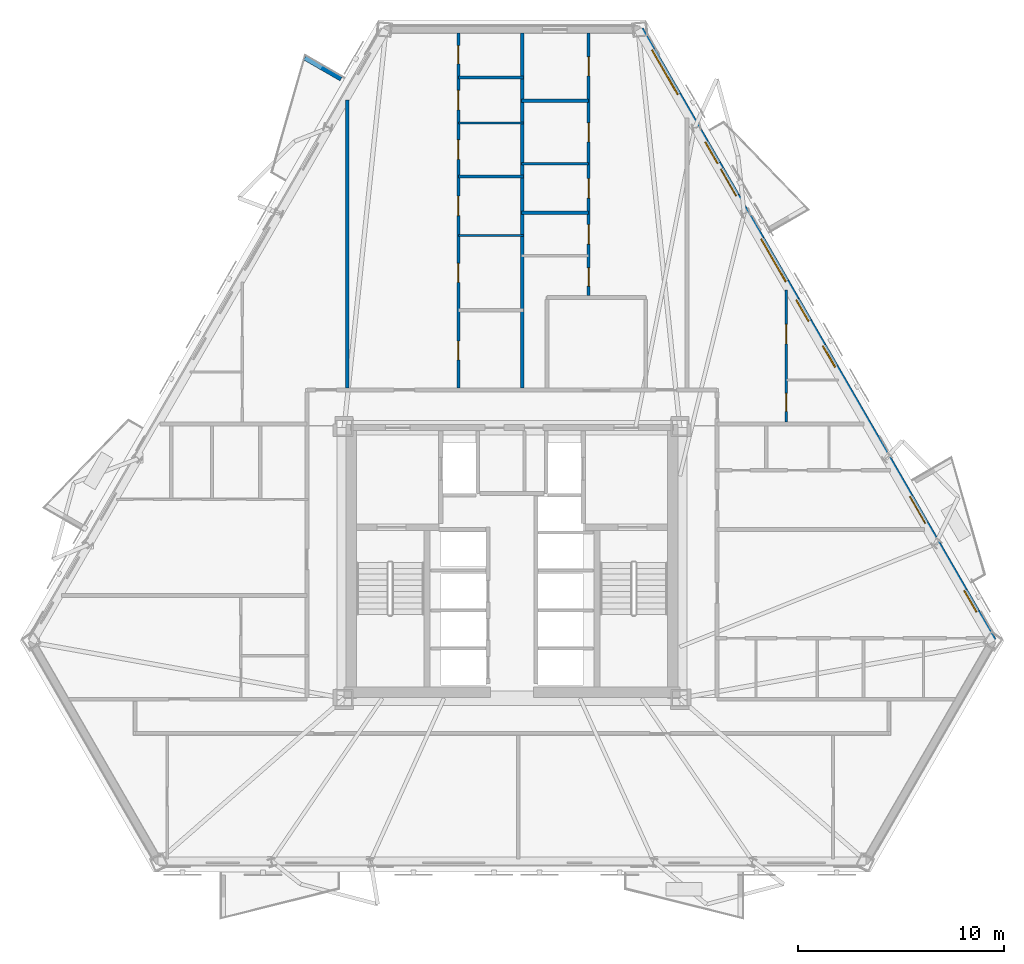
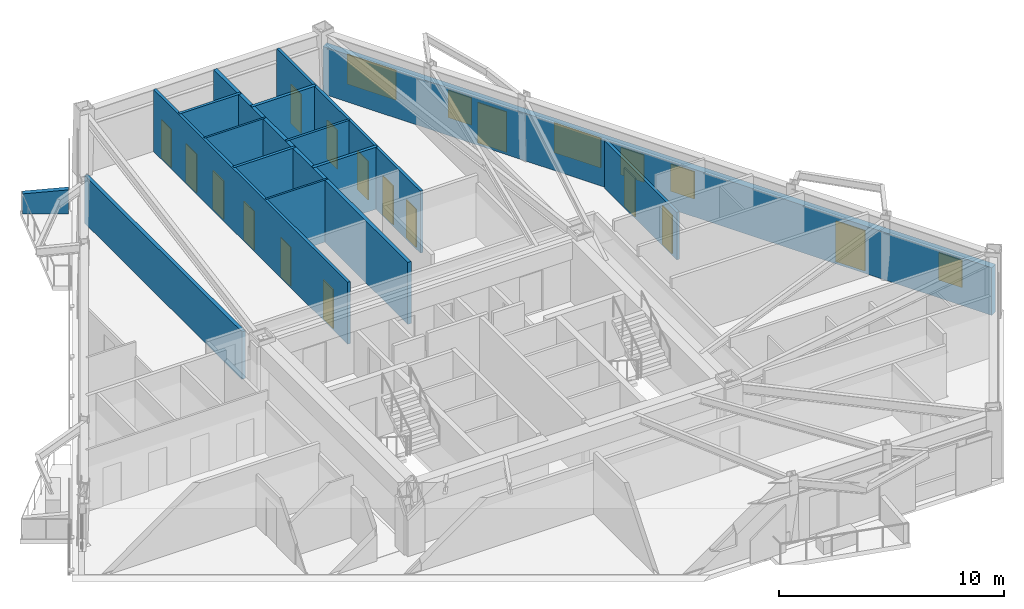
# One storey, part 6 of 11: 15 doors, 14 walls, 6 windows, 21 openings.
"""IFC4 building model written with IfcOpenShell, lengths in metres."""

from ifc_helpers import new_model, si_unit, direction, frame, frame_2d, origin, place, context, subcontext, project, spatial, polyline, rectangle, outline, extrude, material, layer, layer_set, type_object, element, fill, save


model = new_model("IFC4")

# Units and contexts
model_context = context("Model", 3, precision=1e-05, world=origin(), true_north=direction((0.0, 1.0)))
body_context = subcontext(model_context, "Body", "Model", "MODEL_VIEW")
ifc_project = project(units=[si_unit("LENGTHUNIT", "METRE"), si_unit("AREAUNIT", "SQUARE_METRE"), si_unit("VOLUMEUNIT", "CUBIC_METRE"), si_unit("PLANEANGLEUNIT", "RADIAN"), si_unit("MASSUNIT", "GRAM", prefix="KILO")], contexts=[model_context])

# Site, building, storey
site_placement = place(None, origin())
site = spatial("IfcSite", under=ifc_project, at=site_placement, CompositionType="ELEMENT")
building_placement = place(site_placement, origin())
building = spatial("IfcBuilding", under=site, at=building_placement, Name="Oramaril Tower", CompositionType="ELEMENT")
storey_placement = place(building_placement, frame((0.0, 0.0, 89.699951171875)))
storey = spatial("IfcBuildingStorey", under=building, at=storey_placement, Name="L23", CompositionType="ELEMENT", Elevation=89.699951171875)

# Wall, openings, doors, windows
ifc_material_1 = material(Name="Warm Cream Limestone", Category="masonry")
ifc_layer_1 = layer(ifc_material_1, 0.340087890625)
ifc_layer_set_1 = layer_set([ifc_layer_1], Name="WT-EXT34")
wall_type_1 = type_object("IfcWallType", Name="WT-EXT34", PredefinedType="SOLIDWALL", material=ifc_layer_set_1)
wall_1_placement = place(storey_placement, frame((60.85986328125, 13.79833984375, 0.0), z_axis=(0.0, 0.0, 1.0), x_axis=(-0.500004029544, 0.866023077313, 0.0)))
wall_1 = element("IfcWall", 1, at=wall_1_placement, inside=storey, type_object=wall_type_1, Name="L23 Tower Limestone Facade Wall 4M", PredefinedType="SOLIDWALL", context=body_context, shape_type="SweptSolid", body=[
    extrude(rectangle(XDim=34.274658203125, YDim=0.340087890625, at=frame_2d((17.13720703125, 0.0))), origin(), (0.0, 0.0, 1.0), 2.578125),
])
opening_1_placement = place(wall_1_placement, frame((6.579345703125, 0.0, 0.0)))
opening_1 = element("IfcOpeningElement", 2, at=opening_1_placement, cuts=wall_1, Name="Opening D-L23-BAL-NE1", PredefinedType="OPENING", context=body_context, shape_type="SweptSolid", body=[
    extrude(rectangle(XDim=1.5, YDim=2.199951171875, at=frame_2d((0.75, 1.10009765625))), frame((0.0, 0.169921875, 0.0), z_axis=(0.0, -1.0, 0.0), x_axis=(1.0, 0.0, 0.0)), (0.0, 0.0, 1.0), 0.340087890625),
])
opening_2_placement = place(wall_1_placement, frame((24.9501953125, 0.0, 0.0)))
opening_2 = element("IfcOpeningElement", 3, at=opening_2_placement, cuts=wall_1, Name="Opening D-L23-BAL-NE2", PredefinedType="OPENING", context=body_context, shape_type="SweptSolid", body=[
    extrude(rectangle(XDim=1.5, YDim=2.199951171875, at=frame_2d((0.75, 1.10009765625))), frame((0.0, 0.169921875, 0.0), z_axis=(0.0, -1.0, 0.0), x_axis=(1.0, 0.0, 0.0)), (0.0, 0.0, 1.0), 0.340087890625),
])
opening_3_placement = place(wall_1_placement, frame((1.607421875, 0.0, 0.85009765625)))
opening_3 = element("IfcOpeningElement", 4, at=opening_3_placement, cuts=wall_1, Name="Opening WN-09", PredefinedType="OPENING", context=body_context, shape_type="SweptSolid", body=[
    extrude(rectangle(XDim=1.199951171875, YDim=1.47998046875, at=frame_2d((0.60009765625, 0.739990234375))), frame((0.0, 0.169921875, 0.0), z_axis=(0.0, -1.0, 0.0), x_axis=(1.0, 0.0, 0.0)), (0.0, 0.0, 1.0), 0.340087890625),
])
opening_4_placement = place(wall_1_placement, frame((30.6201171875, 0.0, 0.85009765625)))
opening_4 = element("IfcOpeningElement", 5, at=opening_4_placement, cuts=wall_1, Name="Opening WN-11", PredefinedType="OPENING", context=body_context, shape_type="SweptSolid", body=[
    extrude(rectangle(XDim=2.5, YDim=1.617919921875, at=frame_2d((1.25, 0.80908203125))), frame((0.0, 0.169921875, 0.0), z_axis=(0.0, -1.0, 0.0), x_axis=(1.0, 0.0, 0.0)), (0.0, 0.0, 1.0), 0.340087890625),
])
opening_5_placement = place(wall_1_placement, frame((20.1279296875, 0.0, 0.85009765625)))
opening_5 = element("IfcOpeningElement", 6, at=opening_5_placement, cuts=wall_1, Name="Opening WN-03", PredefinedType="OPENING", context=body_context, shape_type="SweptSolid", body=[
    extrude(rectangle(XDim=2.39990234375, YDim=1.617919921875, at=frame_2d((1.199951171875, 0.80908203125))), frame((0.0, 0.169921875, 0.0), z_axis=(0.0, -1.0, 0.0), x_axis=(1.0, 0.0, 0.0)), (0.0, 0.0, 1.0), 0.340087890625),
])
opening_6_placement = place(wall_1_placement, frame((26.755615234375, 0.0, 0.85009765625)))
opening_6 = element("IfcOpeningElement", 7, at=opening_6_placement, cuts=wall_1, Name="Opening WN-09", PredefinedType="OPENING", context=body_context, shape_type="SweptSolid", body=[
    extrude(rectangle(XDim=1.199951171875, YDim=1.47998046875, at=frame_2d((0.60009765625, 0.739990234375))), frame((0.0, 0.169921875, 0.0), z_axis=(0.0, -1.0, 0.0), x_axis=(1.0, 0.0, 0.0)), (0.0, 0.0, 1.0), 0.340087890625),
])
opening_7_placement = place(wall_1_placement, frame((15.33544921875, 0.0, 0.85009765625)))
opening_7 = element("IfcOpeningElement", 8, at=opening_7_placement, cuts=wall_1, Name="Opening WN-09", PredefinedType="OPENING", context=body_context, shape_type="SweptSolid", body=[
    extrude(rectangle(XDim=1.199951171875, YDim=1.47998046875, at=frame_2d((0.60009765625, 0.739990234375))), frame((0.0, 0.169921875, 0.0), z_axis=(0.0, -1.0, 0.0), x_axis=(1.0, 0.0, 0.0)), (0.0, 0.0, 1.0), 0.340087890625),
])
opening_8_placement = place(wall_1_placement, frame((17.910888671875, 0.0, 0.85009765625)))
opening_8 = element("IfcOpeningElement", 9, at=opening_8_placement, cuts=wall_1, Name="Opening WN-09", PredefinedType="OPENING", context=body_context, shape_type="SweptSolid", body=[
    extrude(rectangle(XDim=1.199951171875, YDim=1.47998046875, at=frame_2d((0.60009765625, 0.739990234375))), frame((0.0, 0.169921875, 0.0), z_axis=(0.0, -1.0, 0.0), x_axis=(1.0, 0.0, 0.0)), (0.0, 0.0, 1.0), 0.340087890625),
])
ifc_material_2 = material(Name="Anodised Aluminium 6063-T6", Category="aluminium")
door_type_1 = type_object("IfcDoorType", Name="DT-BAL", OperationType="NOTDEFINED", PredefinedType="DOOR", material=ifc_material_2)
door_1_placement = place(opening_1_placement, origin())
door_1 = element("IfcDoor", 10, at=door_1_placement, inside=storey, type_object=door_type_1, Name="L23 Balcony Glazed Door L23-BAL-NE1", OperationType="SINGLE_SWING_RIGHT", OverallHeight=2.199951171875, OverallWidth=1.5, PredefinedType="DOOR", context=body_context, shape_type="SweptSolid", body=[
    extrude(rectangle(XDim=1.5, YDim=2.199951171875, at=frame_2d((0.75, 1.10009765625))), frame((0.0, 0.02490234375, 0.0), z_axis=(0.0, -1.0, 0.0), x_axis=(1.0, 0.0, 0.0)), (0.0, 0.0, 1.0), 0.050048828125),
])
fill(opening_1, door_1)
door_2_placement = place(opening_2_placement, origin())
door_2 = element("IfcDoor", 11, at=door_2_placement, inside=storey, type_object=door_type_1, Name="L23 Balcony Glazed Door L23-BAL-NE2", OperationType="SINGLE_SWING_LEFT", OverallHeight=2.199951171875, OverallWidth=1.5, PredefinedType="DOOR", context=body_context, shape_type="SweptSolid", body=[
    extrude(rectangle(XDim=1.5, YDim=2.199951171875, at=frame_2d((0.75, 1.10009765625))), frame((0.0, 0.02490234375, 0.0), z_axis=(0.0, -1.0, 0.0), x_axis=(1.0, 0.0, 0.0)), (0.0, 0.0, 1.0), 0.050048828125),
])
fill(opening_2, door_2)
ifc_material_3 = material(Name="Coastal Low-E Insulated Glass", Category="glass")
window_type_1 = type_object("IfcWindowType", Name="WNT-03", PartitioningType="SINGLE_PANEL", PredefinedType="WINDOW", material=ifc_material_3)
window_1_placement = place(opening_5_placement, origin())
window_1 = element("IfcWindow", 12, at=window_1_placement, inside=storey, type_object=window_type_1, Name="L23 Chicago Bay Window WN-03", OverallHeight=1.617919921875, OverallWidth=2.39990234375, PartitioningType="SINGLE_PANEL", PredefinedType="WINDOW", context=body_context, shape_type="SweptSolid", body=[
    extrude(rectangle(XDim=2.39990234375, YDim=1.617919921875, at=frame_2d((1.199951171875, 0.80908203125))), frame((0.0, 0.030029296875, 0.0), z_axis=(0.0, -1.0, 0.0), x_axis=(1.0, 0.0, 0.0)), (0.0, 0.0, 1.0), 0.06005859375),
])
fill(opening_5, window_1)
ifc_material_4 = material(Name="Coastal Low-E Insulated Glass", Category="glass")
window_type_2 = type_object("IfcWindowType", Name="WNT-09", PartitioningType="SINGLE_PANEL", PredefinedType="WINDOW", material=ifc_material_4)
window_2_placement = place(opening_3_placement, origin())
window_2 = element("IfcWindow", 13, at=window_2_placement, inside=storey, type_object=window_type_2, Name="L23 Chicago Bay Window WN-09", OverallHeight=1.47998046875, OverallWidth=1.199951171875, PartitioningType="SINGLE_PANEL", PredefinedType="WINDOW", context=body_context, shape_type="SweptSolid", body=[
    extrude(rectangle(XDim=1.199951171875, YDim=1.47998046875, at=frame_2d((0.60009765625, 0.739990234375))), frame((0.0, 0.030029296875, 0.0), z_axis=(0.0, -1.0, 0.0), x_axis=(1.0, 0.0, 0.0)), (0.0, 0.0, 1.0), 0.06005859375),
])
fill(opening_3, window_2)
window_3_placement = place(opening_6_placement, origin())
window_3 = element("IfcWindow", 14, at=window_3_placement, inside=storey, type_object=window_type_2, Name="L23 Chicago Bay Window WN-09", OverallHeight=1.47998046875, OverallWidth=1.199951171875, PartitioningType="SINGLE_PANEL", PredefinedType="WINDOW", context=body_context, shape_type="SweptSolid", body=[
    extrude(rectangle(XDim=1.199951171875, YDim=1.47998046875, at=frame_2d((0.60009765625, 0.739990234375))), frame((0.0, 0.030029296875, 0.0), z_axis=(0.0, -1.0, 0.0), x_axis=(1.0, 0.0, 0.0)), (0.0, 0.0, 1.0), 0.06005859375),
])
fill(opening_6, window_3)
window_4_placement = place(opening_7_placement, origin())
window_4 = element("IfcWindow", 15, at=window_4_placement, inside=storey, type_object=window_type_2, Name="L23 Chicago Bay Window WN-09", OverallHeight=1.47998046875, OverallWidth=1.199951171875, PartitioningType="SINGLE_PANEL", PredefinedType="WINDOW", context=body_context, shape_type="SweptSolid", body=[
    extrude(rectangle(XDim=1.199951171875, YDim=1.47998046875, at=frame_2d((0.60009765625, 0.739990234375))), frame((0.0, 0.030029296875, 0.0), z_axis=(0.0, -1.0, 0.0), x_axis=(1.0, 0.0, 0.0)), (0.0, 0.0, 1.0), 0.06005859375),
])
fill(opening_7, window_4)
window_5_placement = place(opening_8_placement, origin())
window_5 = element("IfcWindow", 16, at=window_5_placement, inside=storey, type_object=window_type_2, Name="L23 Chicago Bay Window WN-09", OverallHeight=1.47998046875, OverallWidth=1.199951171875, PartitioningType="SINGLE_PANEL", PredefinedType="WINDOW", context=body_context, shape_type="SweptSolid", body=[
    extrude(rectangle(XDim=1.199951171875, YDim=1.47998046875, at=frame_2d((0.60009765625, 0.739990234375))), frame((0.0, 0.030029296875, 0.0), z_axis=(0.0, -1.0, 0.0), x_axis=(1.0, 0.0, 0.0)), (0.0, 0.0, 1.0), 0.06005859375),
])
fill(opening_8, window_5)
ifc_material_5 = material(Name="Coastal Low-E Insulated Glass", Category="glass")
window_type_3 = type_object("IfcWindowType", Name="WNT-11", PartitioningType="SINGLE_PANEL", PredefinedType="WINDOW", material=ifc_material_5)
window_6_placement = place(opening_4_placement, origin())
window_6 = element("IfcWindow", 17, at=window_6_placement, inside=storey, type_object=window_type_3, Name="L23 Chicago Bay Window WN-11", OverallHeight=1.617919921875, OverallWidth=2.5, PartitioningType="SINGLE_PANEL", PredefinedType="WINDOW", context=body_context, shape_type="SweptSolid", body=[
    extrude(rectangle(XDim=2.5, YDim=1.617919921875, at=frame_2d((1.25, 0.80908203125))), frame((0.0, 0.030029296875, 0.0), z_axis=(0.0, -1.0, 0.0), x_axis=(1.0, 0.0, 0.0)), (0.0, 0.0, 1.0), 0.06005859375),
])
fill(opening_4, window_6)

# Walls
ifc_material_6 = material(Name="Concrete C40/50", Category="concrete")
ifc_layer_2 = layer(ifc_material_6, 0.22998046875)
ifc_layer_set_2 = layer_set([ifc_layer_2], Name="WT-PRP23")
wall_type_2 = type_object("IfcWallType", Name="WT-PRP23", PredefinedType="PARAPET", material=ifc_layer_set_2)
wall_2_placement = place(storey_placement, frame((29.202392578125, 41.082763671875, 0.0), z_axis=(0.0, 0.0, 1.0), x_axis=(-0.866012356593, 0.500022597718, 0.0)))
element("IfcWall", 18, at=wall_2_placement, inside=storey, type_object=wall_type_2, Name="L23 Trapezoidal Balcony Frame Cheek L23-BAL-NW1-L", PredefinedType="PARAPET", context=body_context, shape_type="SweptSolid", body=[
    extrude(outline(polyline([(0.0, 0.0), (2.0419921875, 0.0), (2.0419921875, 1.10009765625), (0.0, 1.320068359375), (0.0, 0.0)])), frame((0.0, 0.114990234375, 0.0), z_axis=(0.0, -1.0, 0.0), x_axis=(1.0, 0.0, 0.0)), (0.0, 0.0, 1.0), 0.22998046875),
])
ifc_material_7 = material(Name="Acoustic Gypsum Board Partition")
ifc_layer_3 = layer(ifc_material_7, 0.10009765625)
ifc_layer_set_3 = layer_set([ifc_layer_3], Name="WT-PT10")
wall_type_3 = type_object("IfcWallType", Name="WT-PT10", PredefinedType="PARTITIONING", material=ifc_layer_set_3)
for number, where, z_axis, x_axis, name in (
    (19, (34.89990234375, 33.47998046875, 0.0), (0.0, 0.0, 1.0), (1.0, 0.0, 0.0), "L23 Interior Partition PT-10"),
    (20, (34.89990234375, 38.949951171875, 0.0), (0.0, 0.0, 1.0), (1.0, 0.0, 0.0), "L23 Interior Partition PT-10"),
):
    element("IfcWall", number, at=place(storey_placement, frame(where, z_axis=z_axis, x_axis=x_axis)), inside=storey, type_object=wall_type_3, Name=name, PredefinedType="PARTITIONING", context=body_context, shape_type="SweptSolid", body=[
        extrude(rectangle(XDim=3.150146484375, YDim=0.10009765625, at=frame_2d((1.5751953125, 0.0))), origin(), (0.0, 0.0, 1.0), 3.360107421875),
    ])
ifc_material_8 = material(Name="Acoustic Gypsum Board Partition")
ifc_layer_4 = layer(ifc_material_8, 0.1201171875)
ifc_layer_set_4 = layer_set([ifc_layer_4], Name="WT-PT12")
wall_type_4 = type_object("IfcWallType", Name="WT-PT12", PredefinedType="PARTITIONING", material=ifc_layer_set_4)
wall_3_placement = place(storey_placement, frame((37.949951171875, 36.949951171875, 0.0), z_axis=(0.0, 0.0, 1.0), x_axis=(1.0, 0.0, 0.0)))
element("IfcWall", 21, at=wall_3_placement, inside=storey, type_object=wall_type_4, Name="L23 Interior Partition PT-12", PredefinedType="PARTITIONING", context=body_context, shape_type="SweptSolid", body=[
    extrude(rectangle(XDim=3.27001953125, YDim=0.1201171875, at=frame_2d((1.635009765625, 0.0))), origin(), (0.0, 0.0, 1.0), 3.360107421875),
])
ifc_material_9 = material(Name="Acoustic Gypsum Board Partition")
ifc_layer_5 = layer(ifc_material_9, 0.139892578125)
ifc_layer_set_5 = layer_set([ifc_layer_5], Name="WT-PT14")
wall_type_5 = type_object("IfcWallType", Name="WT-PT14", PredefinedType="PARTITIONING", material=ifc_layer_set_5)
for number, where, z_axis, x_axis, name in (
    (22, (34.89990234375, 36.340087890625, 0.0), (0.0, 0.0, 1.0), (1.0, 0.0, 0.0), "L23 Interior Partition PT-14"),
    (23, (34.89990234375, 41.14990234375, 0.0), (0.0, 0.0, 1.0), (1.0, 0.0, 0.0), "L23 Interior Partition PT-14"),
):
    element("IfcWall", number, at=place(storey_placement, frame(where, z_axis=z_axis, x_axis=x_axis)), inside=storey, type_object=wall_type_5, Name=name, PredefinedType="PARTITIONING", context=body_context, shape_type="SweptSolid", body=[
        extrude(rectangle(XDim=3.150146484375, YDim=0.139892578125, at=frame_2d((1.5751953125, 0.0))), origin(), (0.0, 0.0, 1.0), 3.360107421875),
    ])

# Wall, openings, doors
wall_4_placement = place(storey_placement, frame((34.89990234375, 26.06396484375, 0.0), z_axis=(0.0, 0.0, 1.0), x_axis=(0.0, 1.0, 0.0)))
wall_4 = element("IfcWall", 24, at=wall_4_placement, inside=storey, type_object=wall_type_5, Name="L23 Interior Partition PT-14", PredefinedType="PARTITIONING", context=body_context, shape_type="SweptSolid", body=[
    extrude(rectangle(XDim=17.242919921875, YDim=0.139892578125, at=frame_2d((8.62158203125, 0.0))), origin(), (0.0, 0.0, 1.0), 3.360107421875),
])
opening_9_placement = place(wall_4_placement, frame((1.366943359375, 0.0, 0.0)))
opening_9 = element("IfcOpeningElement", 25, at=opening_9_placement, cuts=wall_4, Name="Opening D-L23-26", PredefinedType="OPENING", context=body_context, shape_type="SweptSolid", body=[
    extrude(rectangle(XDim=0.919921875, YDim=2.1201171875, at=frame_2d((0.4599609375, 1.06005859375))), frame((0.0, 0.06982421875, 0.0), z_axis=(0.0, -1.0, 0.0), x_axis=(1.0, 0.0, 0.0)), (0.0, 0.0, 1.0), 0.139892578125),
])
opening_10_placement = place(wall_4_placement, frame((5.138427734375, 0.0, 0.0)))
opening_10 = element("IfcOpeningElement", 26, at=opening_10_placement, cuts=wall_4, Name="Opening D-L23-27", PredefinedType="OPENING", context=body_context, shape_type="SweptSolid", body=[
    extrude(rectangle(XDim=0.919921875, YDim=2.1201171875, at=frame_2d((0.4599609375, 1.06005859375))), frame((0.0, 0.06982421875, 0.0), z_axis=(0.0, -1.0, 0.0), x_axis=(1.0, 0.0, 0.0)), (0.0, 0.0, 1.0), 0.139892578125),
])
opening_11_placement = place(wall_4_placement, frame((8.375, 0.0, 0.0)))
opening_11 = element("IfcOpeningElement", 27, at=opening_11_placement, cuts=wall_4, Name="Opening D-L23-28", PredefinedType="OPENING", context=body_context, shape_type="SweptSolid", body=[
    extrude(rectangle(XDim=0.949951171875, YDim=2.10009765625, at=frame_2d((0.47509765625, 1.050048828125))), frame((0.0, 0.06982421875, 0.0), z_axis=(0.0, -1.0, 0.0), x_axis=(1.0, 0.0, 0.0)), (0.0, 0.0, 1.0), 0.139892578125),
])
opening_12_placement = place(wall_4_placement, frame((11.106201171875, 0.0, 0.0)))
opening_12 = element("IfcOpeningElement", 28, at=opening_12_placement, cuts=wall_4, Name="Opening D-L23-29", PredefinedType="OPENING", context=body_context, shape_type="SweptSolid", body=[
    extrude(rectangle(XDim=0.949951171875, YDim=2.10009765625, at=frame_2d((0.47509765625, 1.050048828125))), frame((0.0, 0.06982421875, 0.0), z_axis=(0.0, -1.0, 0.0), x_axis=(1.0, 0.0, 0.0)), (0.0, 0.0, 1.0), 0.139892578125),
])
opening_13_placement = place(wall_4_placement, frame((13.50732421875, 0.0, 0.0)))
opening_13 = element("IfcOpeningElement", 29, at=opening_13_placement, cuts=wall_4, Name="Opening D-L23-30", PredefinedType="OPENING", context=body_context, shape_type="SweptSolid", body=[
    extrude(rectangle(XDim=0.949951171875, YDim=2.10009765625, at=frame_2d((0.47509765625, 1.050048828125))), frame((0.0, 0.06982421875, 0.0), z_axis=(0.0, -1.0, 0.0), x_axis=(1.0, 0.0, 0.0)), (0.0, 0.0, 1.0), 0.139892578125),
])
opening_14_placement = place(wall_4_placement, frame((15.75, 0.0, 0.0)))
opening_14 = element("IfcOpeningElement", 30, at=opening_14_placement, cuts=wall_4, Name="Opening D-L23-31", PredefinedType="OPENING", context=body_context, shape_type="SweptSolid", body=[
    extrude(rectangle(XDim=0.8798828125, YDim=2.080078125, at=frame_2d((0.43994140625, 1.0400390625))), frame((0.0, 0.06982421875, 0.0), z_axis=(0.0, -1.0, 0.0), x_axis=(1.0, 0.0, 0.0)), (0.0, 0.0, 1.0), 0.139892578125),
])
ifc_material_10 = material(Name="FSC Brazilian Freijo Hardwood", Category="wood")
door_type_2 = type_object("IfcDoorType", Name="DT-BATH", OperationType="NOTDEFINED", PredefinedType="DOOR", material=ifc_material_10)
door_3_placement = place(opening_14_placement, origin())
door_3 = element("IfcDoor", 31, at=door_3_placement, inside=storey, type_object=door_type_2, Name="L23 Flat L23-U8 Bathroom Door D-L23-31", OperationType="SINGLE_SWING_LEFT", OverallHeight=2.080078125, OverallWidth=0.8798828125, PredefinedType="DOOR", context=body_context, shape_type="SweptSolid", body=[
    extrude(rectangle(XDim=0.8798828125, YDim=2.080078125, at=frame_2d((0.43994140625, 1.0400390625))), frame((0.0, 0.02490234375, 0.0), z_axis=(0.0, -1.0, 0.0), x_axis=(1.0, 0.0, 0.0)), (0.0, 0.0, 1.0), 0.050048828125),
])
fill(opening_14, door_3)
ifc_material_11 = material(Name="FSC Brazilian Freijo Hardwood", Category="wood")
door_type_3 = type_object("IfcDoorType", Name="DT-BED", OperationType="NOTDEFINED", PredefinedType="DOOR", material=ifc_material_11)
door_4_placement = place(opening_9_placement, origin())
door_4 = element("IfcDoor", 32, at=door_4_placement, inside=storey, type_object=door_type_3, Name="L23 Flat L23-U8 Master Bedroom Door D-L23-26", OperationType="SINGLE_SWING_RIGHT", OverallHeight=2.1201171875, OverallWidth=0.919921875, PredefinedType="DOOR", context=body_context, shape_type="SweptSolid", body=[
    extrude(rectangle(XDim=0.919921875, YDim=2.1201171875, at=frame_2d((0.4599609375, 1.06005859375))), frame((0.0, 0.02490234375, 0.0), z_axis=(0.0, -1.0, 0.0), x_axis=(1.0, 0.0, 0.0)), (0.0, 0.0, 1.0), 0.050048828125),
])
fill(opening_9, door_4)
door_5_placement = place(opening_10_placement, origin())
door_5 = element("IfcDoor", 33, at=door_5_placement, inside=storey, type_object=door_type_3, Name="L23 Flat L23-U8 Bedroom 2 Door D-L23-27", OperationType="SINGLE_SWING_LEFT", OverallHeight=2.1201171875, OverallWidth=0.919921875, PredefinedType="DOOR", context=body_context, shape_type="SweptSolid", body=[
    extrude(rectangle(XDim=0.919921875, YDim=2.1201171875, at=frame_2d((0.4599609375, 1.06005859375))), frame((0.0, 0.02490234375, 0.0), z_axis=(0.0, -1.0, 0.0), x_axis=(1.0, 0.0, 0.0)), (0.0, 0.0, 1.0), 0.050048828125),
])
fill(opening_10, door_5)
ifc_material_12 = material(Name="FSC Brazilian Freijo Hardwood", Category="wood")
door_type_4 = type_object("IfcDoorType", Name="DT-STDY", OperationType="NOTDEFINED", PredefinedType="DOOR", material=ifc_material_12)
door_6_placement = place(opening_11_placement, origin())
door_6 = element("IfcDoor", 34, at=door_6_placement, inside=storey, type_object=door_type_4, Name="L23 Flat L23-U8 Dining Room Door D-L23-28", OperationType="SINGLE_SWING_RIGHT", OverallHeight=2.10009765625, OverallWidth=0.949951171875, PredefinedType="DOOR", context=body_context, shape_type="SweptSolid", body=[
    extrude(rectangle(XDim=0.949951171875, YDim=2.10009765625, at=frame_2d((0.47509765625, 1.050048828125))), frame((0.0, 0.02490234375, 0.0), z_axis=(0.0, -1.0, 0.0), x_axis=(1.0, 0.0, 0.0)), (0.0, 0.0, 1.0), 0.050048828125),
])
fill(opening_11, door_6)
door_7_placement = place(opening_12_placement, origin())
door_7 = element("IfcDoor", 35, at=door_7_placement, inside=storey, type_object=door_type_4, Name="L23 Flat L23-U8 Private Dining Room Door D-L23-29", OperationType="SINGLE_SWING_LEFT", OverallHeight=2.10009765625, OverallWidth=0.949951171875, PredefinedType="DOOR", context=body_context, shape_type="SweptSolid", body=[
    extrude(rectangle(XDim=0.949951171875, YDim=2.10009765625, at=frame_2d((0.47509765625, 1.050048828125))), frame((0.0, 0.02490234375, 0.0), z_axis=(0.0, -1.0, 0.0), x_axis=(1.0, 0.0, 0.0)), (0.0, 0.0, 1.0), 0.050048828125),
])
fill(opening_12, door_7)
door_8_placement = place(opening_13_placement, origin())
door_8 = element("IfcDoor", 36, at=door_8_placement, inside=storey, type_object=door_type_4, Name="L23 Flat L23-U8 Kitchen Door D-L23-30", OperationType="SINGLE_SWING_RIGHT", OverallHeight=2.10009765625, OverallWidth=0.949951171875, PredefinedType="DOOR", context=body_context, shape_type="SweptSolid", body=[
    extrude(rectangle(XDim=0.949951171875, YDim=2.10009765625, at=frame_2d((0.47509765625, 1.050048828125))), frame((0.0, 0.02490234375, 0.0), z_axis=(0.0, -1.0, 0.0), x_axis=(1.0, 0.0, 0.0)), (0.0, 0.0, 1.0), 0.050048828125),
])
fill(opening_13, door_8)

wall_5_placement = place(storey_placement, frame((41.219970703125, 30.56396484375, 0.0), z_axis=(0.0, 0.0, 1.0), x_axis=(0.0, 1.0, 0.0)))
wall_5 = element("IfcWall", 37, at=wall_5_placement, inside=storey, type_object=wall_type_5, Name="L23 Interior Partition PT-14", PredefinedType="PARTITIONING", context=body_context, shape_type="SweptSolid", body=[
    extrude(rectangle(XDim=12.742919921875, YDim=0.139892578125, at=frame_2d((6.37158203125, 0.0))), origin(), (0.0, 0.0, 1.0), 3.360107421875),
])
opening_15_placement = place(wall_5_placement, frame((0.4599609375, 0.0, 0.0)))
opening_15 = element("IfcOpeningElement", 38, at=opening_15_placement, cuts=wall_5, Name="Opening D-L23-32", PredefinedType="OPENING", context=body_context, shape_type="SweptSolid", body=[
    extrude(rectangle(XDim=0.8798828125, YDim=2.080078125, at=frame_2d((0.43994140625, 1.0400390625))), frame((0.0, 0.06982421875, 0.0), z_axis=(0.0, -1.0, 0.0), x_axis=(1.0, 0.0, 0.0)), (0.0, 0.0, 1.0), 0.139892578125),
])
opening_16_placement = place(wall_5_placement, frame((2.49365234375, 0.0, 0.0)))
opening_16 = element("IfcOpeningElement", 39, at=opening_16_placement, cuts=wall_5, Name="Opening D-L23-33", PredefinedType="OPENING", context=body_context, shape_type="SweptSolid", body=[
    extrude(rectangle(XDim=0.949951171875, YDim=2.10009765625, at=frame_2d((0.47509765625, 1.050048828125))), frame((0.0, 0.06982421875, 0.0), z_axis=(0.0, -1.0, 0.0), x_axis=(1.0, 0.0, 0.0)), (0.0, 0.0, 1.0), 0.139892578125),
])
opening_17_placement = place(wall_5_placement, frame((4.72412109375, 0.0, 0.0)))
opening_17 = element("IfcOpeningElement", 40, at=opening_17_placement, cuts=wall_5, Name="Opening D-L23-34", PredefinedType="OPENING", context=body_context, shape_type="SweptSolid", body=[
    extrude(rectangle(XDim=0.949951171875, YDim=2.10009765625, at=frame_2d((0.47509765625, 1.050048828125))), frame((0.0, 0.06982421875, 0.0), z_axis=(0.0, -1.0, 0.0), x_axis=(1.0, 0.0, 0.0)), (0.0, 0.0, 1.0), 0.139892578125),
])
opening_18_placement = place(wall_5_placement, frame((7.4619140625, 0.0, 0.0)))
opening_18 = element("IfcOpeningElement", 41, at=opening_18_placement, cuts=wall_5, Name="Opening D-L23-35", PredefinedType="OPENING", context=body_context, shape_type="SweptSolid", body=[
    extrude(rectangle(XDim=0.919921875, YDim=2.1201171875, at=frame_2d((0.4599609375, 1.06005859375))), frame((0.0, 0.06982421875, 0.0), z_axis=(0.0, -1.0, 0.0), x_axis=(1.0, 0.0, 0.0)), (0.0, 0.0, 1.0), 0.139892578125),
])
opening_19_placement = place(wall_5_placement, frame((10.668212890625, 0.0, 0.0)))
opening_19 = element("IfcOpeningElement", 42, at=opening_19_placement, cuts=wall_5, Name="Opening D-L23-36", PredefinedType="OPENING", context=body_context, shape_type="SweptSolid", body=[
    extrude(rectangle(XDim=0.919921875, YDim=2.1201171875, at=frame_2d((0.4599609375, 1.06005859375))), frame((0.0, 0.06982421875, 0.0), z_axis=(0.0, -1.0, 0.0), x_axis=(1.0, 0.0, 0.0)), (0.0, 0.0, 1.0), 0.139892578125),
])
door_9_placement = place(opening_15_placement, origin())
door_9 = element("IfcDoor", 43, at=door_9_placement, inside=storey, type_object=door_type_2, Name="L23 Flat L23-U9 Bathroom Door D-L23-32", OperationType="SINGLE_SWING_RIGHT", OverallHeight=2.080078125, OverallWidth=0.8798828125, PredefinedType="DOOR", context=body_context, shape_type="SweptSolid", body=[
    extrude(rectangle(XDim=0.8798828125, YDim=2.080078125, at=frame_2d((0.43994140625, 1.0400390625))), frame((0.0, 0.02490234375, 0.0), z_axis=(0.0, -1.0, 0.0), x_axis=(1.0, 0.0, 0.0)), (0.0, 0.0, 1.0), 0.050048828125),
])
fill(opening_15, door_9)
door_10_placement = place(opening_18_placement, origin())
door_10 = element("IfcDoor", 44, at=door_10_placement, inside=storey, type_object=door_type_3, Name="L23 Flat L23-U9 Bedroom 2 Door D-L23-35", OperationType="SINGLE_SWING_LEFT", OverallHeight=2.1201171875, OverallWidth=0.919921875, PredefinedType="DOOR", context=body_context, shape_type="SweptSolid", body=[
    extrude(rectangle(XDim=0.919921875, YDim=2.1201171875, at=frame_2d((0.4599609375, 1.06005859375))), frame((0.0, 0.02490234375, 0.0), z_axis=(0.0, -1.0, 0.0), x_axis=(1.0, 0.0, 0.0)), (0.0, 0.0, 1.0), 0.050048828125),
])
fill(opening_18, door_10)
door_11_placement = place(opening_19_placement, origin())
door_11 = element("IfcDoor", 45, at=door_11_placement, inside=storey, type_object=door_type_3, Name="L23 Flat L23-U9 Master Bedroom Door D-L23-36", OperationType="SINGLE_SWING_RIGHT", OverallHeight=2.1201171875, OverallWidth=0.919921875, PredefinedType="DOOR", context=body_context, shape_type="SweptSolid", body=[
    extrude(rectangle(XDim=0.919921875, YDim=2.1201171875, at=frame_2d((0.4599609375, 1.06005859375))), frame((0.0, 0.02490234375, 0.0), z_axis=(0.0, -1.0, 0.0), x_axis=(1.0, 0.0, 0.0)), (0.0, 0.0, 1.0), 0.050048828125),
])
fill(opening_19, door_11)
door_12_placement = place(opening_16_placement, origin())
door_12 = element("IfcDoor", 46, at=door_12_placement, inside=storey, type_object=door_type_4, Name="L23 Flat L23-U9 Kitchen Door D-L23-33", OperationType="SINGLE_SWING_LEFT", OverallHeight=2.10009765625, OverallWidth=0.949951171875, PredefinedType="DOOR", context=body_context, shape_type="SweptSolid", body=[
    extrude(rectangle(XDim=0.949951171875, YDim=2.10009765625, at=frame_2d((0.47509765625, 1.050048828125))), frame((0.0, 0.02490234375, 0.0), z_axis=(0.0, -1.0, 0.0), x_axis=(1.0, 0.0, 0.0)), (0.0, 0.0, 1.0), 0.050048828125),
])
fill(opening_16, door_12)
door_13_placement = place(opening_17_placement, origin())
door_13 = element("IfcDoor", 47, at=door_13_placement, inside=storey, type_object=door_type_4, Name="L23 Flat L23-U9 Reading Study Door D-L23-34", OperationType="SINGLE_SWING_RIGHT", OverallHeight=2.10009765625, OverallWidth=0.949951171875, PredefinedType="DOOR", context=body_context, shape_type="SweptSolid", body=[
    extrude(rectangle(XDim=0.949951171875, YDim=2.10009765625, at=frame_2d((0.47509765625, 1.050048828125))), frame((0.0, 0.02490234375, 0.0), z_axis=(0.0, -1.0, 0.0), x_axis=(1.0, 0.0, 0.0)), (0.0, 0.0, 1.0), 0.050048828125),
])
fill(opening_17, door_13)

wall_6_placement = place(storey_placement, frame((50.820068359375, 24.4140625, 0.0), z_axis=(0.0, 0.0, 1.0), x_axis=(0.0, 1.0, 0.0)))
wall_6 = element("IfcWall", 48, at=wall_6_placement, inside=storey, type_object=wall_type_5, Name="L23 Interior Partition PT-14", PredefinedType="PARTITIONING", context=body_context, shape_type="SweptSolid", body=[
    extrude(rectangle(XDim=6.42578125, YDim=0.139892578125, at=frame_2d((3.212890625, 0.0))), origin(), (0.0, 0.0, 1.0), 2.578125),
])
opening_20_placement = place(wall_6_placement, frame((0.52099609375, 0.0, 0.0)))
opening_20 = element("IfcOpeningElement", 49, at=opening_20_placement, cuts=wall_6, Name="Opening D-L23-40", PredefinedType="OPENING", context=body_context, shape_type="SweptSolid", body=[
    extrude(rectangle(XDim=0.8798828125, YDim=2.080078125, at=frame_2d((0.43994140625, 1.0400390625))), frame((0.0, 0.06982421875, 0.0), z_axis=(0.0, -1.0, 0.0), x_axis=(1.0, 0.0, 0.0)), (0.0, 0.0, 1.0), 0.139892578125),
])
opening_21_placement = place(wall_6_placement, frame((3.797607421875, 0.0, 0.0)))
opening_21 = element("IfcOpeningElement", 50, at=opening_21_placement, cuts=wall_6, Name="Opening D-L23-41", PredefinedType="OPENING", context=body_context, shape_type="SweptSolid", body=[
    extrude(rectangle(XDim=0.949951171875, YDim=2.10009765625, at=frame_2d((0.47509765625, 1.050048828125))), frame((0.0, 0.06982421875, 0.0), z_axis=(0.0, -1.0, 0.0), x_axis=(1.0, 0.0, 0.0)), (0.0, 0.0, 1.0), 0.139892578125),
])
door_14_placement = place(opening_20_placement, origin())
door_14 = element("IfcDoor", 51, at=door_14_placement, inside=storey, type_object=door_type_2, Name="L23 Flat L23-U10 Bathroom Door D-L23-40", OperationType="SINGLE_SWING_RIGHT", OverallHeight=2.080078125, OverallWidth=0.8798828125, PredefinedType="DOOR", context=body_context, shape_type="SweptSolid", body=[
    extrude(rectangle(XDim=0.8798828125, YDim=2.080078125, at=frame_2d((0.43994140625, 1.0400390625))), frame((0.0, 0.02490234375, 0.0), z_axis=(0.0, -1.0, 0.0), x_axis=(1.0, 0.0, 0.0)), (0.0, 0.0, 1.0), 0.050048828125),
])
fill(opening_20, door_14)
door_15_placement = place(opening_21_placement, origin())
door_15 = element("IfcDoor", 52, at=door_15_placement, inside=storey, type_object=door_type_4, Name="L23 Flat L23-U10 Kitchen Door D-L23-41", OperationType="SINGLE_SWING_LEFT", OverallHeight=2.10009765625, OverallWidth=0.949951171875, PredefinedType="DOOR", context=body_context, shape_type="SweptSolid", body=[
    extrude(rectangle(XDim=0.949951171875, YDim=2.10009765625, at=frame_2d((0.47509765625, 1.050048828125))), frame((0.0, 0.02490234375, 0.0), z_axis=(0.0, -1.0, 0.0), x_axis=(1.0, 0.0, 0.0)), (0.0, 0.0, 1.0), 0.050048828125),
])
fill(opening_21, door_15)

# Walls
ifc_material_13 = material(Name="Acoustic Gypsum Board Partition")
ifc_layer_6 = layer(ifc_material_13, 0.159912109375)
ifc_layer_set_6 = layer_set([ifc_layer_6], Name="WT-PT16")
wall_type_6 = type_object("IfcWallType", Name="WT-PT16", PredefinedType="PARTITIONING", material=ifc_layer_set_6)
for number, where, z_axis, x_axis, name in (
    (53, (37.949951171875, 34.580078125, 0.0), (0.0, 0.0, 1.0), (1.0, 0.0, 0.0), "L23 Interior Partition PT-16"),
    (54, (37.949951171875, 40.02001953125, 0.0), (0.0, 0.0, 1.0), (1.0, 0.0, 0.0), "L23 Interior Partition PT-16"),
):
    element("IfcWall", number, at=place(storey_placement, frame(where, z_axis=z_axis, x_axis=x_axis)), inside=storey, type_object=wall_type_6, Name=name, PredefinedType="PARTITIONING", context=body_context, shape_type="SweptSolid", body=[
        extrude(rectangle(XDim=3.27001953125, YDim=0.159912109375, at=frame_2d((1.635009765625, 0.0))), origin(), (0.0, 0.0, 1.0), 3.360107421875),
    ])
ifc_material_14 = material(Name="Autoclaved Cellular Concrete Block", Category="concrete")
ifc_layer_7 = layer(ifc_material_14, 0.179931640625)
ifc_layer_set_7 = layer_set([ifc_layer_7], Name="WT-PT18")
wall_type_7 = type_object("IfcWallType", Name="WT-PT18", PredefinedType="PARTITIONING", material=ifc_layer_set_7)
wall_7_placement = place(storey_placement, frame((29.5, 26.06396484375, 0.0), z_axis=(0.0, 0.0, 1.0), x_axis=(0.0, 1.0, 0.0)))
element("IfcWall", 55, at=wall_7_placement, inside=storey, type_object=wall_type_7, Name="L23 Interior Partition PT-18", PredefinedType="PARTITIONING", context=body_context, shape_type="SweptSolid", body=[
    extrude(rectangle(XDim=13.990234375, YDim=0.179931640625, at=frame_2d((6.9951171875, 0.0))), origin(), (0.0, 0.0, 1.0), 2.578125),
])
wall_8_placement = place(storey_placement, frame((38.0, 26.06396484375, 0.0), z_axis=(0.0, 0.0, 1.0), x_axis=(0.0, 1.0, 0.0)))
element("IfcWall", 56, at=wall_8_placement, inside=storey, type_object=wall_type_7, Name="L23 Interior Partition PT-18", PredefinedType="PARTITIONING", context=body_context, shape_type="SweptSolid", body=[
    extrude(rectangle(XDim=17.242919921875, YDim=0.179931640625, at=frame_2d((8.62158203125, 0.0))), origin(), (0.0, 0.0, 1.0), 3.360107421875),
])

save(model, "model.ifc")
